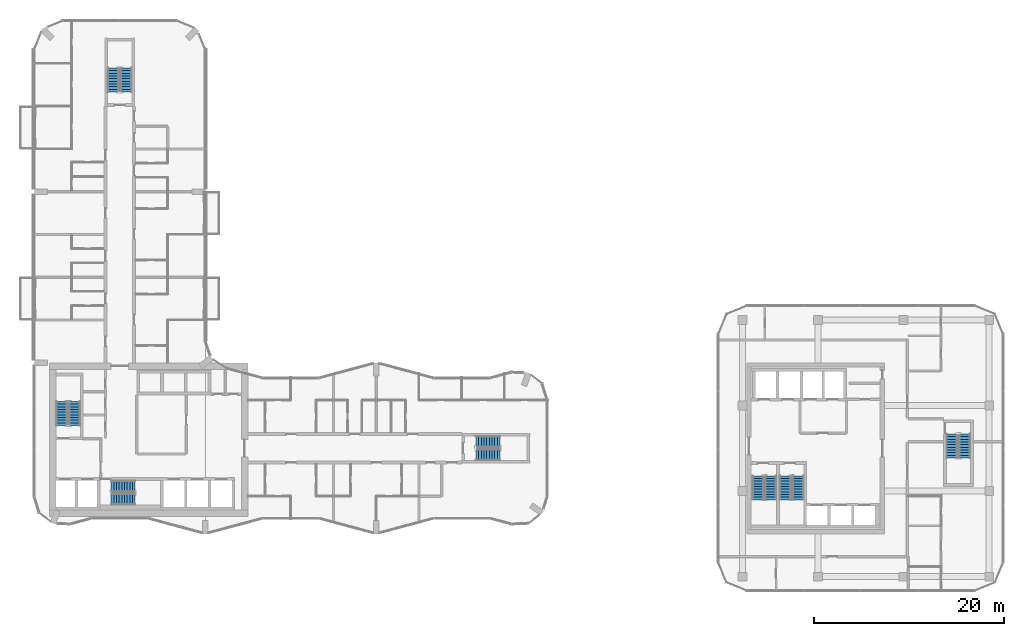
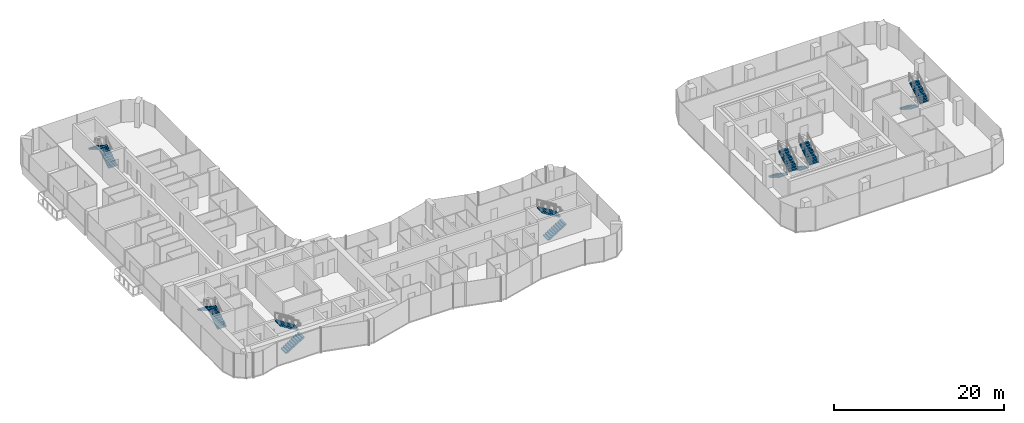
# One storey, part 20 of 23: 14 stair flights, 7 elements without a shape of their own.
"""IFC4 building model written with IfcOpenShell, lengths in metres."""

from ifc_helpers import new_model, si_unit, direction, frame, origin, place, context, subcontext, project, spatial, polyline, outline, extrude, material, type_object, element, aggregate, save


model = new_model("IFC4")

# Units and contexts
model_context = context("Model", 3, precision=1e-05, world=origin(), true_north=direction((0.0, 1.0)))
body_context = subcontext(model_context, "Body", "Model", "MODEL_VIEW")
ifc_project = project(units=[si_unit("LENGTHUNIT", "METRE"), si_unit("AREAUNIT", "SQUARE_METRE"), si_unit("VOLUMEUNIT", "CUBIC_METRE"), si_unit("PLANEANGLEUNIT", "RADIAN"), si_unit("MASSUNIT", "GRAM", prefix="KILO")], contexts=[model_context])

# Site, building, storey
site_placement = place(None, origin())
site = spatial("IfcSite", under=ifc_project, at=site_placement, CompositionType="ELEMENT")
building_placement = place(site_placement, origin())
building = spatial("IfcBuilding", under=site, at=building_placement, Name="Plateau Cross Towers", CompositionType="ELEMENT")
storey_placement = place(building_placement, frame((0.0, 0.0, 85.300048828125)))
storey = spatial("IfcBuildingStorey", under=building, at=storey_placement, Name="L21", CompositionType="ELEMENT", Elevation=85.300048828125)

# Stair, stair flights
ifc_material = material(Name="Concrete C40/50", Category="concrete")
stair_type = type_object("IfcStairType", Name="ST-TWR", PredefinedType="HALF_TURN_STAIR", material=ifc_material)
stair_1_placement = place(storey_placement, origin())
stair_1 = element("IfcStair", 1, at=stair_1_placement, inside=storey, type_object=stair_type, Name="L21 Protected Exit Stair ST-1", PredefinedType="HALF_TURN_STAIR")
stair_flight_type = type_object("IfcStairFlightType", Name="SFL-RC", PredefinedType="STRAIGHT", material=ifc_material)
stair_flight_1_placement = place(storey_placement, frame((4.25, 11.39990234375, 0.0), z_axis=(0.0, 0.0, 1.0), x_axis=(0.0, 1.0, 0.0)))
stair_flight_1 = element("IfcStairFlight", 2, at=stair_flight_1_placement, type_object=stair_flight_type, Name="ST-1 flight 1", NumberOfRisers=10, NumberOfTreads=9, PredefinedType="STRAIGHT", RiserHeight=0.175, TreadLength=0.28, context=body_context, shape_type="SweptSolid", body=[
    extrude(outline(polyline([(-0.0048828125, -0.010009765625), (-0.0048828125, 0.0), (0.0, 0.0), (0.0, 0.175048828125), (0.280029296875, 0.175048828125), (0.280029296875, 0.35009765625), (0.56005859375, 0.35009765625), (0.56005859375, 0.52490234375), (0.840087890625, 0.52490234375), (0.840087890625, 0.699951171875), (1.1201171875, 0.699951171875), (1.1201171875, 0.875), (1.39990234375, 0.875), (1.39990234375, 1.050048828125), (1.679931640625, 1.050048828125), (1.679931640625, 1.22509765625), (1.9599609375, 1.22509765625), (1.9599609375, 1.39990234375), (2.239990234375, 1.39990234375), (2.239990234375, 1.574951171875), (2.52001953125, 1.574951171875), (2.52490234375, 1.56494140625), (2.52490234375, 1.398193359375), (2.52001953125, 1.398193359375), (0.28271484375, 0.0), (0.02001953125, 0.0), (0.02001953125, -0.010009765625), (-0.0048828125, -0.010009765625)])), frame((0.0, 0.60009765625, 0.0), z_axis=(0.0, -1.0, 0.0), x_axis=(1.0, 0.0, 0.0)), (0.0, 0.0, 1.0), 1.199951171875),
])
stair_flight_2_placement = place(storey_placement, frame((2.89990234375, 13.919921875, 1.75), z_axis=(0.0, 0.0, 1.0), x_axis=(0.0, -1.0, 0.0)))
stair_flight_2 = element("IfcStairFlight", 3, at=stair_flight_2_placement, type_object=stair_flight_type, Name="ST-1 flight 2", NumberOfRisers=10, NumberOfTreads=9, PredefinedType="STRAIGHT", RiserHeight=0.175, TreadLength=0.28, context=body_context, shape_type="SweptSolid", body=[
    extrude(outline(polyline([(-0.0048828125, -0.010009765625), (-0.0048828125, 0.0), (0.0, 0.0), (0.0, 0.175048828125), (0.280029296875, 0.175048828125), (0.280029296875, 0.35009765625), (0.56005859375, 0.35009765625), (0.56005859375, 0.52490234375), (0.840087890625, 0.52490234375), (0.840087890625, 0.699951171875), (1.1201171875, 0.699951171875), (1.1201171875, 0.875), (1.39990234375, 0.875), (1.39990234375, 1.050048828125), (1.679931640625, 1.050048828125), (1.679931640625, 1.22509765625), (1.9599609375, 1.22509765625), (1.9599609375, 1.39990234375), (2.239990234375, 1.39990234375), (2.239990234375, 1.574951171875), (2.52001953125, 1.574951171875), (2.52490234375, 1.56494140625), (2.52490234375, 1.398193359375), (2.52001953125, 1.398193359375), (0.28271484375, 0.0), (0.02001953125, 0.0), (0.02001953125, -0.010009765625), (-0.0048828125, -0.010009765625)])), frame((0.0, 0.60009765625, 0.0), z_axis=(0.0, -1.0, 0.0), x_axis=(1.0, 0.0, 0.0)), (0.0, 0.0, 1.0), 1.199951171875),
])
aggregate(stair_1, [stair_flight_1, stair_flight_2])

stair_2_placement = place(storey_placement, origin())
stair_2 = element("IfcStair", 4, at=stair_2_placement, inside=storey, type_object=stair_type, Name="L21 Protected Exit Stair ST-2", PredefinedType="HALF_TURN_STAIR")
stair_flight_3_placement = place(storey_placement, frame((8.10009765625, 3.64990234375, 0.0), z_axis=(0.0, 0.0, 1.0), x_axis=(1.0, 0.0, 0.0)))
stair_flight_3 = element("IfcStairFlight", 5, at=stair_flight_3_placement, type_object=stair_flight_type, Name="ST-2 flight 1", NumberOfRisers=10, NumberOfTreads=9, PredefinedType="STRAIGHT", RiserHeight=0.175, TreadLength=0.28, context=body_context, shape_type="SweptSolid", body=[
    extrude(outline(polyline([(-0.0048828125, -0.010009765625), (-0.0048828125, 0.0), (0.0, 0.0), (0.0, 0.175048828125), (0.280029296875, 0.175048828125), (0.280029296875, 0.35009765625), (0.56005859375, 0.35009765625), (0.56005859375, 0.52490234375), (0.840087890625, 0.52490234375), (0.840087890625, 0.699951171875), (1.1201171875, 0.699951171875), (1.1201171875, 0.875), (1.39990234375, 0.875), (1.39990234375, 1.050048828125), (1.679931640625, 1.050048828125), (1.679931640625, 1.22509765625), (1.9599609375, 1.22509765625), (1.9599609375, 1.39990234375), (2.239990234375, 1.39990234375), (2.239990234375, 1.574951171875), (2.52001953125, 1.574951171875), (2.52490234375, 1.56494140625), (2.52490234375, 1.398193359375), (2.52001953125, 1.398193359375), (0.28271484375, 0.0), (0.02001953125, 0.0), (0.02001953125, -0.010009765625), (-0.0048828125, -0.010009765625)])), frame((0.0, 0.60009765625, 0.0), z_axis=(0.0, -1.0, 0.0), x_axis=(1.0, 0.0, 0.0)), (0.0, 0.0, 1.0), 1.199951171875),
])
stair_flight_4_placement = place(storey_placement, frame((10.6201171875, 5.0, 1.75), z_axis=(0.0, 0.0, 1.0), x_axis=(-1.0, 0.0, 0.0)))
stair_flight_4 = element("IfcStairFlight", 6, at=stair_flight_4_placement, type_object=stair_flight_type, Name="ST-2 flight 2", NumberOfRisers=10, NumberOfTreads=9, PredefinedType="STRAIGHT", RiserHeight=0.175, TreadLength=0.28, context=body_context, shape_type="SweptSolid", body=[
    extrude(outline(polyline([(-0.0048828125, -0.010009765625), (-0.0048828125, 0.0), (0.0, 0.0), (0.0, 0.175048828125), (0.280029296875, 0.175048828125), (0.280029296875, 0.35009765625), (0.56005859375, 0.35009765625), (0.56005859375, 0.52490234375), (0.840087890625, 0.52490234375), (0.840087890625, 0.699951171875), (1.1201171875, 0.699951171875), (1.1201171875, 0.875), (1.39990234375, 0.875), (1.39990234375, 1.050048828125), (1.679931640625, 1.050048828125), (1.679931640625, 1.22509765625), (1.9599609375, 1.22509765625), (1.9599609375, 1.39990234375), (2.239990234375, 1.39990234375), (2.239990234375, 1.574951171875), (2.52001953125, 1.574951171875), (2.52490234375, 1.56494140625), (2.52490234375, 1.398193359375), (2.52001953125, 1.398193359375), (0.28271484375, 0.0), (0.02001953125, 0.0), (0.02001953125, -0.010009765625), (-0.0048828125, -0.010009765625)])), frame((0.0, 0.60009765625, 0.0), z_axis=(0.0, -1.0, 0.0), x_axis=(1.0, 0.0, 0.0)), (0.0, 0.0, 1.0), 1.199951171875),
])
aggregate(stair_2, [stair_flight_3, stair_flight_4])

stair_3_placement = place(storey_placement, origin())
stair_3 = element("IfcStair", 7, at=stair_3_placement, inside=storey, type_object=stair_type, Name="L21 Protected Exit Stair SB-1", PredefinedType="HALF_TURN_STAIR")
stair_flight_5_placement = place(storey_placement, frame((76.199951171875, 6.10009765625, 0.0), z_axis=(0.0, 0.0, 1.0), x_axis=(0.0, -1.0, 0.0)))
stair_flight_5 = element("IfcStairFlight", 8, at=stair_flight_5_placement, type_object=stair_flight_type, Name="SB-1 flight 1", NumberOfRisers=10, NumberOfTreads=9, PredefinedType="STRAIGHT", RiserHeight=0.175, TreadLength=0.28, context=body_context, shape_type="SweptSolid", body=[
    extrude(outline(polyline([(-0.0048828125, -0.010009765625), (-0.0048828125, 0.0), (0.0, 0.0), (0.0, 0.175048828125), (0.280029296875, 0.175048828125), (0.280029296875, 0.35009765625), (0.56005859375, 0.35009765625), (0.56005859375, 0.52490234375), (0.840087890625, 0.52490234375), (0.840087890625, 0.699951171875), (1.1201171875, 0.699951171875), (1.1201171875, 0.875), (1.39990234375, 0.875), (1.39990234375, 1.050048828125), (1.679931640625, 1.050048828125), (1.679931640625, 1.22509765625), (1.9599609375, 1.22509765625), (1.9599609375, 1.39990234375), (2.239990234375, 1.39990234375), (2.239990234375, 1.574951171875), (2.52001953125, 1.574951171875), (2.52490234375, 1.56494140625), (2.52490234375, 1.398193359375), (2.52001953125, 1.398193359375), (0.28271484375, 0.0), (0.02001953125, 0.0), (0.02001953125, -0.010009765625), (-0.0048828125, -0.010009765625)])), frame((0.0, 0.60009765625, 0.0), z_axis=(0.0, -1.0, 0.0), x_axis=(1.0, 0.0, 0.0)), (0.0, 0.0, 1.0), 1.199951171875),
])
stair_flight_6_placement = place(storey_placement, frame((77.550048828125, 3.580078125, 1.75), z_axis=(0.0, 0.0, 1.0), x_axis=(0.0, 1.0, 0.0)))
stair_flight_6 = element("IfcStairFlight", 9, at=stair_flight_6_placement, type_object=stair_flight_type, Name="SB-1 flight 2", NumberOfRisers=10, NumberOfTreads=9, PredefinedType="STRAIGHT", RiserHeight=0.175, TreadLength=0.28, context=body_context, shape_type="SweptSolid", body=[
    extrude(outline(polyline([(-0.0048828125, -0.010009765625), (-0.0048828125, 0.0), (0.0, 0.0), (0.0, 0.175048828125), (0.280029296875, 0.175048828125), (0.280029296875, 0.35009765625), (0.56005859375, 0.35009765625), (0.56005859375, 0.52490234375), (0.840087890625, 0.52490234375), (0.840087890625, 0.699951171875), (1.1201171875, 0.699951171875), (1.1201171875, 0.875), (1.39990234375, 0.875), (1.39990234375, 1.050048828125), (1.679931640625, 1.050048828125), (1.679931640625, 1.22509765625), (1.9599609375, 1.22509765625), (1.9599609375, 1.39990234375), (2.239990234375, 1.39990234375), (2.239990234375, 1.574951171875), (2.52001953125, 1.574951171875), (2.52490234375, 1.56494140625), (2.52490234375, 1.398193359375), (2.52001953125, 1.398193359375), (0.28271484375, 0.0), (0.02001953125, 0.0), (0.02001953125, -0.010009765625), (-0.0048828125, -0.010009765625)])), frame((0.0, 0.60009765625, 0.0), z_axis=(0.0, -1.0, 0.0), x_axis=(1.0, 0.0, 0.0)), (0.0, 0.0, 1.0), 1.199951171875),
])
aggregate(stair_3, [stair_flight_5, stair_flight_6])

stair_4_placement = place(storey_placement, origin())
stair_4 = element("IfcStair", 10, at=stair_4_placement, inside=storey, type_object=stair_type, Name="L21 Protected Exit Stair SB-2", PredefinedType="HALF_TURN_STAIR")
stair_flight_7_placement = place(storey_placement, frame((79.050048828125, 6.10009765625, 0.0), z_axis=(0.0, 0.0, 1.0), x_axis=(0.0, -1.0, 0.0)))
stair_flight_7 = element("IfcStairFlight", 11, at=stair_flight_7_placement, type_object=stair_flight_type, Name="SB-2 flight 1", NumberOfRisers=10, NumberOfTreads=9, PredefinedType="STRAIGHT", RiserHeight=0.175, TreadLength=0.28, context=body_context, shape_type="SweptSolid", body=[
    extrude(outline(polyline([(-0.0048828125, -0.010009765625), (-0.0048828125, 0.0), (0.0, 0.0), (0.0, 0.175048828125), (0.280029296875, 0.175048828125), (0.280029296875, 0.35009765625), (0.56005859375, 0.35009765625), (0.56005859375, 0.52490234375), (0.840087890625, 0.52490234375), (0.840087890625, 0.699951171875), (1.1201171875, 0.699951171875), (1.1201171875, 0.875), (1.39990234375, 0.875), (1.39990234375, 1.050048828125), (1.679931640625, 1.050048828125), (1.679931640625, 1.22509765625), (1.9599609375, 1.22509765625), (1.9599609375, 1.39990234375), (2.239990234375, 1.39990234375), (2.239990234375, 1.574951171875), (2.52001953125, 1.574951171875), (2.52490234375, 1.56494140625), (2.52490234375, 1.398193359375), (2.52001953125, 1.398193359375), (0.28271484375, 0.0), (0.02001953125, 0.0), (0.02001953125, -0.010009765625), (-0.0048828125, -0.010009765625)])), frame((0.0, 0.60009765625, 0.0), z_axis=(0.0, -1.0, 0.0), x_axis=(1.0, 0.0, 0.0)), (0.0, 0.0, 1.0), 1.199951171875),
])
stair_flight_8_placement = place(storey_placement, frame((80.39990234375, 3.580078125, 1.75), z_axis=(0.0, 0.0, 1.0), x_axis=(0.0, 1.0, 0.0)))
stair_flight_8 = element("IfcStairFlight", 12, at=stair_flight_8_placement, type_object=stair_flight_type, Name="SB-2 flight 2", NumberOfRisers=10, NumberOfTreads=9, PredefinedType="STRAIGHT", RiserHeight=0.175, TreadLength=0.28, context=body_context, shape_type="SweptSolid", body=[
    extrude(outline(polyline([(-0.0048828125, -0.010009765625), (-0.0048828125, 0.0), (0.0, 0.0), (0.0, 0.175048828125), (0.280029296875, 0.175048828125), (0.280029296875, 0.35009765625), (0.56005859375, 0.35009765625), (0.56005859375, 0.52490234375), (0.840087890625, 0.52490234375), (0.840087890625, 0.699951171875), (1.1201171875, 0.699951171875), (1.1201171875, 0.875), (1.39990234375, 0.875), (1.39990234375, 1.050048828125), (1.679931640625, 1.050048828125), (1.679931640625, 1.22509765625), (1.9599609375, 1.22509765625), (1.9599609375, 1.39990234375), (2.239990234375, 1.39990234375), (2.239990234375, 1.574951171875), (2.52001953125, 1.574951171875), (2.52490234375, 1.56494140625), (2.52490234375, 1.398193359375), (2.52001953125, 1.398193359375), (0.28271484375, 0.0), (0.02001953125, 0.0), (0.02001953125, -0.010009765625), (-0.0048828125, -0.010009765625)])), frame((0.0, 0.60009765625, 0.0), z_axis=(0.0, -1.0, 0.0), x_axis=(1.0, 0.0, 0.0)), (0.0, 0.0, 1.0), 1.199951171875),
])
aggregate(stair_4, [stair_flight_7, stair_flight_8])

stair_5_placement = place(storey_placement, origin())
stair_5 = element("IfcStair", 13, at=stair_5_placement, inside=storey, type_object=stair_type, Name="L21 Protected Exit Stair SB-3", PredefinedType="HALF_TURN_STAIR")
stair_flight_9_placement = place(storey_placement, frame((96.60009765625, 10.5, 0.0), z_axis=(0.0, 0.0, 1.0), x_axis=(0.0, -1.0, 0.0)))
stair_flight_9 = element("IfcStairFlight", 14, at=stair_flight_9_placement, type_object=stair_flight_type, Name="SB-3 flight 1", NumberOfRisers=10, NumberOfTreads=9, PredefinedType="STRAIGHT", RiserHeight=0.175, TreadLength=0.28, context=body_context, shape_type="SweptSolid", body=[
    extrude(outline(polyline([(-0.0048828125, -0.010009765625), (-0.0048828125, 0.0), (0.0, 0.0), (0.0, 0.175048828125), (0.280029296875, 0.175048828125), (0.280029296875, 0.35009765625), (0.56005859375, 0.35009765625), (0.56005859375, 0.52490234375), (0.840087890625, 0.52490234375), (0.840087890625, 0.699951171875), (1.1201171875, 0.699951171875), (1.1201171875, 0.875), (1.39990234375, 0.875), (1.39990234375, 1.050048828125), (1.679931640625, 1.050048828125), (1.679931640625, 1.22509765625), (1.9599609375, 1.22509765625), (1.9599609375, 1.39990234375), (2.239990234375, 1.39990234375), (2.239990234375, 1.574951171875), (2.52001953125, 1.574951171875), (2.52490234375, 1.56494140625), (2.52490234375, 1.398193359375), (2.52001953125, 1.398193359375), (0.28271484375, 0.0), (0.02001953125, 0.0), (0.02001953125, -0.010009765625), (-0.0048828125, -0.010009765625)])), frame((0.0, 0.60009765625, 0.0), z_axis=(0.0, -1.0, 0.0), x_axis=(1.0, 0.0, 0.0)), (0.0, 0.0, 1.0), 1.199951171875),
])
stair_flight_10_placement = place(storey_placement, frame((97.949951171875, 7.97998046875, 1.75), z_axis=(0.0, 0.0, 1.0), x_axis=(0.0, 1.0, 0.0)))
stair_flight_10 = element("IfcStairFlight", 15, at=stair_flight_10_placement, type_object=stair_flight_type, Name="SB-3 flight 2", NumberOfRisers=10, NumberOfTreads=9, PredefinedType="STRAIGHT", RiserHeight=0.175, TreadLength=0.28, context=body_context, shape_type="SweptSolid", body=[
    extrude(outline(polyline([(-0.0048828125, -0.010009765625), (-0.0048828125, 0.0), (0.0, 0.0), (0.0, 0.175048828125), (0.280029296875, 0.175048828125), (0.280029296875, 0.35009765625), (0.56005859375, 0.35009765625), (0.56005859375, 0.52490234375), (0.840087890625, 0.52490234375), (0.840087890625, 0.699951171875), (1.1201171875, 0.699951171875), (1.1201171875, 0.875), (1.39990234375, 0.875), (1.39990234375, 1.050048828125), (1.679931640625, 1.050048828125), (1.679931640625, 1.22509765625), (1.9599609375, 1.22509765625), (1.9599609375, 1.39990234375), (2.239990234375, 1.39990234375), (2.239990234375, 1.574951171875), (2.52001953125, 1.574951171875), (2.52490234375, 1.56494140625), (2.52490234375, 1.398193359375), (2.52001953125, 1.398193359375), (0.28271484375, 0.0), (0.02001953125, 0.0), (0.02001953125, -0.010009765625), (-0.0048828125, -0.010009765625)])), frame((0.0, 0.60009765625, 0.0), z_axis=(0.0, -1.0, 0.0), x_axis=(1.0, 0.0, 0.0)), (0.0, 0.0, 1.0), 1.199951171875),
])
aggregate(stair_5, [stair_flight_9, stair_flight_10])

stair_6_placement = place(storey_placement, origin())
stair_6 = element("IfcStair", 16, at=stair_6_placement, inside=storey, type_object=stair_type, Name="L21 Protected Exit Stair E", PredefinedType="HALF_TURN_STAIR")
stair_flight_11_placement = place(storey_placement, frame((46.5, 8.324951171875, 0.0), z_axis=(0.0, 0.0, 1.0), x_axis=(1.0, 0.0, 0.0)))
stair_flight_11 = element("IfcStairFlight", 17, at=stair_flight_11_placement, type_object=stair_flight_type, Name="ES-E flight 1", NumberOfRisers=10, NumberOfTreads=9, PredefinedType="STRAIGHT", RiserHeight=0.175, TreadLength=0.28, context=body_context, shape_type="SweptSolid", body=[
    extrude(outline(polyline([(-0.0048828125, -0.010009765625), (-0.0048828125, 0.0), (0.0, 0.0), (0.0, 0.175048828125), (0.280029296875, 0.175048828125), (0.280029296875, 0.35009765625), (0.56005859375, 0.35009765625), (0.56005859375, 0.52490234375), (0.840087890625, 0.52490234375), (0.840087890625, 0.699951171875), (1.1201171875, 0.699951171875), (1.1201171875, 0.875), (1.39990234375, 0.875), (1.39990234375, 1.050048828125), (1.679931640625, 1.050048828125), (1.679931640625, 1.22509765625), (1.9599609375, 1.22509765625), (1.9599609375, 1.39990234375), (2.239990234375, 1.39990234375), (2.239990234375, 1.574951171875), (2.52001953125, 1.574951171875), (2.52490234375, 1.56494140625), (2.52490234375, 1.398193359375), (2.52001953125, 1.398193359375), (0.28271484375, 0.0), (0.02001953125, 0.0), (0.02001953125, -0.010009765625), (-0.0048828125, -0.010009765625)])), frame((0.0, 0.60009765625, 0.0), z_axis=(0.0, -1.0, 0.0), x_axis=(1.0, 0.0, 0.0)), (0.0, 0.0, 1.0), 1.199951171875),
])
stair_flight_12_placement = place(storey_placement, frame((49.02001953125, 9.675048828125, 1.75), z_axis=(0.0, 0.0, 1.0), x_axis=(-1.0, 0.0, 0.0)))
stair_flight_12 = element("IfcStairFlight", 18, at=stair_flight_12_placement, type_object=stair_flight_type, Name="ES-E flight 2", NumberOfRisers=10, NumberOfTreads=9, PredefinedType="STRAIGHT", RiserHeight=0.175, TreadLength=0.28, context=body_context, shape_type="SweptSolid", body=[
    extrude(outline(polyline([(-0.0048828125, -0.010009765625), (-0.0048828125, 0.0), (0.0, 0.0), (0.0, 0.175048828125), (0.280029296875, 0.175048828125), (0.280029296875, 0.35009765625), (0.56005859375, 0.35009765625), (0.56005859375, 0.52490234375), (0.840087890625, 0.52490234375), (0.840087890625, 0.699951171875), (1.1201171875, 0.699951171875), (1.1201171875, 0.875), (1.39990234375, 0.875), (1.39990234375, 1.050048828125), (1.679931640625, 1.050048828125), (1.679931640625, 1.22509765625), (1.9599609375, 1.22509765625), (1.9599609375, 1.39990234375), (2.239990234375, 1.39990234375), (2.239990234375, 1.574951171875), (2.52001953125, 1.574951171875), (2.52490234375, 1.56494140625), (2.52490234375, 1.398193359375), (2.52001953125, 1.398193359375), (0.28271484375, 0.0), (0.02001953125, 0.0), (0.02001953125, -0.010009765625), (-0.0048828125, -0.010009765625)])), frame((0.0, 0.60009765625, 0.0), z_axis=(0.0, -1.0, 0.0), x_axis=(1.0, 0.0, 0.0)), (0.0, 0.0, 1.0), 1.199951171875),
])
aggregate(stair_6, [stair_flight_11, stair_flight_12])

stair_7_placement = place(storey_placement, origin())
stair_7 = element("IfcStair", 19, at=stair_7_placement, inside=storey, type_object=stair_type, Name="L21 Protected Exit Stair N", PredefinedType="HALF_TURN_STAIR")
stair_flight_13_placement = place(storey_placement, frame((9.675048828125, 46.5, 0.0), z_axis=(0.0, 0.0, 1.0), x_axis=(0.0, 1.0, 0.0)))
stair_flight_13 = element("IfcStairFlight", 20, at=stair_flight_13_placement, type_object=stair_flight_type, Name="ES-N flight 1", NumberOfRisers=10, NumberOfTreads=9, PredefinedType="STRAIGHT", RiserHeight=0.175, TreadLength=0.28, context=body_context, shape_type="SweptSolid", body=[
    extrude(outline(polyline([(-0.0048828125, -0.010009765625), (-0.0048828125, 0.0), (0.0, 0.0), (0.0, 0.175048828125), (0.280029296875, 0.175048828125), (0.280029296875, 0.35009765625), (0.56005859375, 0.35009765625), (0.56005859375, 0.52490234375), (0.840087890625, 0.52490234375), (0.840087890625, 0.699951171875), (1.1201171875, 0.699951171875), (1.1201171875, 0.875), (1.39990234375, 0.875), (1.39990234375, 1.050048828125), (1.679931640625, 1.050048828125), (1.679931640625, 1.22509765625), (1.9599609375, 1.22509765625), (1.9599609375, 1.39990234375), (2.239990234375, 1.39990234375), (2.239990234375, 1.574951171875), (2.52001953125, 1.574951171875), (2.52490234375, 1.56494140625), (2.52490234375, 1.398193359375), (2.52001953125, 1.398193359375), (0.28271484375, 0.0), (0.02001953125, 0.0), (0.02001953125, -0.010009765625), (-0.0048828125, -0.010009765625)])), frame((0.0, 0.60009765625, 0.0), z_axis=(0.0, -1.0, 0.0), x_axis=(1.0, 0.0, 0.0)), (0.0, 0.0, 1.0), 1.199951171875),
])
stair_flight_14_placement = place(storey_placement, frame((8.324951171875, 49.02001953125, 1.75), z_axis=(0.0, 0.0, 1.0), x_axis=(0.0, -1.0, 0.0)))
stair_flight_14 = element("IfcStairFlight", 21, at=stair_flight_14_placement, type_object=stair_flight_type, Name="ES-N flight 2", NumberOfRisers=10, NumberOfTreads=9, PredefinedType="STRAIGHT", RiserHeight=0.175, TreadLength=0.28, context=body_context, shape_type="SweptSolid", body=[
    extrude(outline(polyline([(-0.0048828125, -0.010009765625), (-0.0048828125, 0.0), (0.0, 0.0), (0.0, 0.175048828125), (0.280029296875, 0.175048828125), (0.280029296875, 0.35009765625), (0.56005859375, 0.35009765625), (0.56005859375, 0.52490234375), (0.840087890625, 0.52490234375), (0.840087890625, 0.699951171875), (1.1201171875, 0.699951171875), (1.1201171875, 0.875), (1.39990234375, 0.875), (1.39990234375, 1.050048828125), (1.679931640625, 1.050048828125), (1.679931640625, 1.22509765625), (1.9599609375, 1.22509765625), (1.9599609375, 1.39990234375), (2.239990234375, 1.39990234375), (2.239990234375, 1.574951171875), (2.52001953125, 1.574951171875), (2.52490234375, 1.56494140625), (2.52490234375, 1.398193359375), (2.52001953125, 1.398193359375), (0.28271484375, 0.0), (0.02001953125, 0.0), (0.02001953125, -0.010009765625), (-0.0048828125, -0.010009765625)])), frame((0.0, 0.60009765625, 0.0), z_axis=(0.0, -1.0, 0.0), x_axis=(1.0, 0.0, 0.0)), (0.0, 0.0, 1.0), 1.199951171875),
])
aggregate(stair_7, [stair_flight_13, stair_flight_14])

save(model, "model.ifc")
